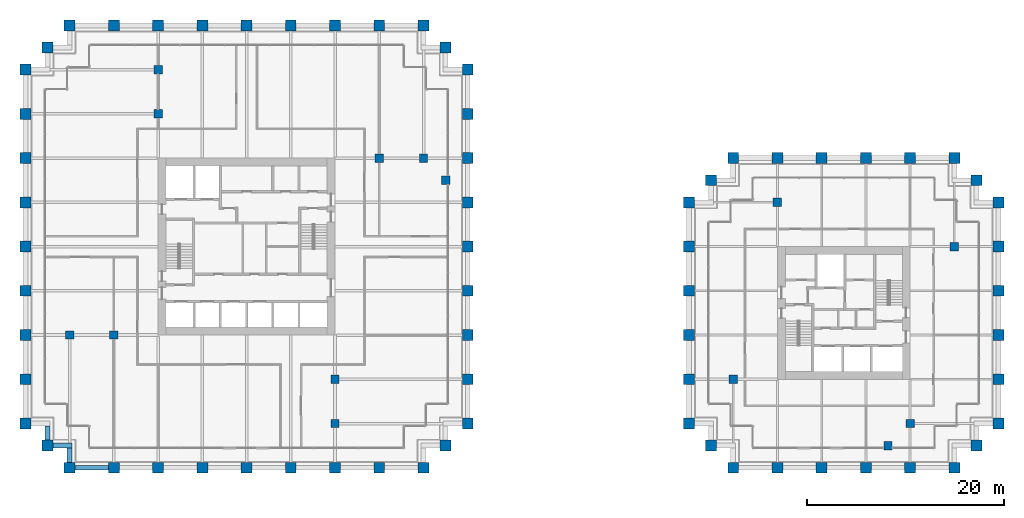
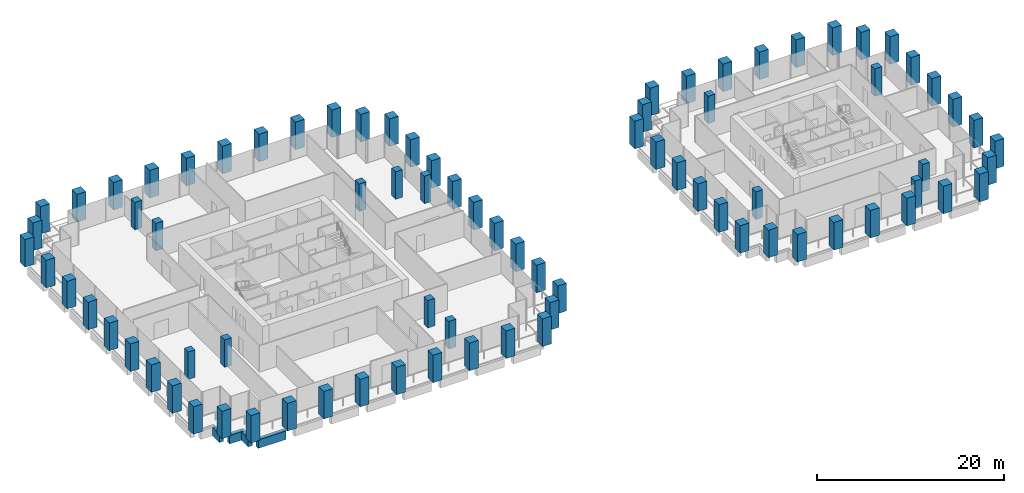
# One storey, part 1 of 54: 82 columns, 4 beams.
"""IFC4 building model written with IfcOpenShell, lengths in metres."""

from ifc_helpers import new_model, si_unit, direction, frame, origin, origin_2d, place, context, subcontext, project, spatial, rectangle, extrude, material, material_profile, profile_set, type_object, element, save


model = new_model("IFC4")

# Units and contexts
model_context = context("Model", 3, precision=1e-05, world=origin(), true_north=direction((0.0, 1.0)))
body_context = subcontext(model_context, "Body", "Model", "MODEL_VIEW")
ifc_project = project(units=[si_unit("LENGTHUNIT", "METRE"), si_unit("AREAUNIT", "SQUARE_METRE"), si_unit("VOLUMEUNIT", "CUBIC_METRE"), si_unit("PLANEANGLEUNIT", "RADIAN"), si_unit("MASSUNIT", "GRAM", prefix="KILO")], contexts=[model_context])

# Site, building, storey
site_placement = place(None, origin())
site = spatial("IfcSite", under=ifc_project, at=site_placement, CompositionType="ELEMENT")
building_placement = place(site_placement, origin())
building = spatial("IfcBuilding", under=site, at=building_placement, Name="Altepetl Exchange Towers", CompositionType="ELEMENT")
storey_placement = place(building_placement, frame((0.0, 0.0, 61.800048828125)))
storey = spatial("IfcBuildingStorey", under=building, at=storey_placement, Name="L14", CompositionType="ELEMENT", Elevation=61.800048828125)

# Columns
ifc_material_1 = material(Name="Concrete C70/85", Category="concrete")
ifc_material_profile_1 = material_profile(ifc_material_1, rectangle(XDim=0.85009765625, YDim=0.85009765625, at=origin_2d()), Name="850 x 850")
ifc_profile_set_1 = profile_set([ifc_material_profile_1], Name="Concrete C70/85")
column_type_1 = type_object("IfcColumnType", Name="Interior column 850", PredefinedType="COLUMN", material=ifc_profile_set_1)
for number, where, name in (
    (1, (31.5, 40.5, 0.0), "col:A:L14:040"),
    (2, (36.0, 40.5, 0.0), "col:A:L14:041"),
    (3, (40.5, 63.0, 0.0), "col:A:L14:042"),
    (4, (40.5, 67.5, 0.0), "col:A:L14:043"),
    (5, (58.5, 31.5, 0.0), "col:A:L14:044"),
    (6, (58.5, 36.0, 0.0), "col:A:L14:045"),
    (7, (63.0, 58.5, 0.0), "col:A:L14:046"),
    (8, (67.5, 58.5, 0.0), "col:A:L14:047"),
    (9, (69.75, 56.25, 0.0), "col:A:L14:048"),
    (10, (99.0, 36.0, 0.0), "col:B:L14:028"),
    (11, (103.5, 54.0, 0.0), "col:B:L14:029"),
    (12, (114.75, 29.25, 0.0), "col:B:L14:030"),
    (13, (117.0, 31.5, 0.0), "col:B:L14:031"),
    (14, (121.5, 49.5, 0.0), "col:B:L14:032"),
):
    element("IfcColumn", number, at=place(storey_placement, frame(where)), inside=storey, type_object=column_type_1, Name=name, PredefinedType="COLUMN", context=body_context, shape_type="SweptSolid", body=[
        extrude(rectangle(XDim=0.85009765625, YDim=0.85009765625, at=origin_2d()), origin(), (0.0, 0.0, 1.0), 3.599853515625),
    ])
ifc_material_2 = material(Name="Concrete C70/85 precast with cantera amarilla facing", Category="concrete")
ifc_material_profile_2 = material_profile(ifc_material_2, rectangle(XDim=1.10009765625, YDim=1.10009765625, at=origin_2d()), Name="1100 x 1100")
ifc_profile_set_2 = profile_set([ifc_material_profile_2], Name="Concrete C70/85 precast with cantera amarilla facing")
column_type_2 = type_object("IfcColumnType", Name="Perimeter column 1100 cantera amarilla", PredefinedType="COLUMN", material=ifc_profile_set_2)
for number, where, name in (
    (15, (58.5, 27.0, 0.0), "col:A:L14:006"),
    (16, (63.0, 27.0, 0.0), "col:A:L14:007"),
    (17, (67.5, 27.0, 0.0), "col:A:L14:008"),
    (18, (69.75, 29.25, 0.0), "col:A:L14:009"),
    (19, (72.0, 31.5, 0.0), "col:A:L14:010"),
    (20, (72.0, 36.0, 0.0), "col:A:L14:011"),
    (21, (72.0, 40.5, 0.0), "col:A:L14:012"),
    (22, (72.0, 45.0, 0.0), "col:A:L14:013"),
    (23, (72.0, 49.5, 0.0), "col:A:L14:014"),
    (24, (72.0, 54.0, 0.0), "col:A:L14:015"),
    (25, (126.0, 49.5, 0.0), "col:B:L14:011"),
    (26, (126.0, 54.0, 0.0), "col:B:L14:012"),
    (27, (123.75, 56.25, 0.0), "col:B:L14:013"),
    (28, (121.5, 58.5, 0.0), "col:B:L14:014"),
    (29, (117.0, 58.5, 0.0), "col:B:L14:015"),
    (30, (112.5, 58.5, 0.0), "col:B:L14:016"),
    (31, (108.0, 58.5, 0.0), "col:B:L14:017"),
):
    element("IfcColumn", number, at=place(storey_placement, frame(where)), inside=storey, type_object=column_type_2, Name=name, PredefinedType="COLUMN", context=body_context, shape_type="SweptSolid", body=[
        extrude(rectangle(XDim=1.10009765625, YDim=1.10009765625, at=origin_2d()), origin(), (0.0, 0.0, 1.0), 3.599853515625),
    ])
ifc_material_3 = material(Name="Concrete C70/85 precast with cantera blanca facing", Category="concrete")
ifc_material_profile_3 = material_profile(ifc_material_3, rectangle(XDim=1.10009765625, YDim=1.10009765625, at=origin_2d()), Name="1100 x 1100")
ifc_profile_set_3 = profile_set([ifc_material_profile_3], Name="Concrete C70/85 precast with cantera blanca facing")
column_type_3 = type_object("IfcColumnType", Name="Perimeter column 1100 cantera blanca", PredefinedType="COLUMN", material=ifc_profile_set_3)
for number, where, name in (
    (32, (31.5, 27.0, 0.0), "col:A:L14:000"),
    (33, (36.0, 27.0, 0.0), "col:A:L14:001"),
    (34, (40.5, 27.0, 0.0), "col:A:L14:002"),
    (35, (45.0, 27.0, 0.0), "col:A:L14:003"),
    (36, (49.5, 27.0, 0.0), "col:A:L14:004"),
    (37, (54.0, 27.0, 0.0), "col:A:L14:005"),
    (38, (27.0, 36.0, 0.0), "col:A:L14:037"),
    (39, (27.0, 31.5, 0.0), "col:A:L14:038"),
    (40, (29.25, 29.25, 0.0), "col:A:L14:039"),
    (41, (117.0, 27.0, 0.0), "col:B:L14:004"),
    (42, (121.5, 27.0, 0.0), "col:B:L14:005"),
    (43, (123.75, 29.25, 0.0), "col:B:L14:006"),
    (44, (126.0, 31.5, 0.0), "col:B:L14:007"),
    (45, (126.0, 36.0, 0.0), "col:B:L14:008"),
    (46, (126.0, 40.5, 0.0), "col:B:L14:009"),
    (47, (126.0, 45.0, 0.0), "col:B:L14:010"),
):
    element("IfcColumn", number, at=place(storey_placement, frame(where)), inside=storey, type_object=column_type_3, Name=name, PredefinedType="COLUMN", context=body_context, shape_type="SweptSolid", body=[
        extrude(rectangle(XDim=1.10009765625, YDim=1.10009765625, at=origin_2d()), origin(), (0.0, 0.0, 1.0), 3.599853515625),
    ])
ifc_material_4 = material(Name="Concrete C70/85 precast with cantera rosa facing", Category="concrete")
ifc_material_profile_4 = material_profile(ifc_material_4, rectangle(XDim=1.10009765625, YDim=1.10009765625, at=origin_2d()), Name="1100 x 1100")
ifc_profile_set_4 = profile_set([ifc_material_profile_4], Name="Concrete C70/85 precast with cantera rosa facing")
column_type_4 = type_object("IfcColumnType", Name="Perimeter column 1100 cantera rosa", PredefinedType="COLUMN", material=ifc_profile_set_4)
for number, where, name in (
    (48, (72.0, 58.5, 0.0), "col:A:L14:016"),
    (49, (72.0, 63.0, 0.0), "col:A:L14:017"),
    (50, (72.0, 67.5, 0.0), "col:A:L14:018"),
    (51, (69.75, 69.75, 0.0), "col:A:L14:019"),
    (52, (67.5, 72.0, 0.0), "col:A:L14:020"),
    (53, (63.0, 72.0, 0.0), "col:A:L14:021"),
    (54, (58.5, 72.0, 0.0), "col:A:L14:022"),
    (55, (54.0, 72.0, 0.0), "col:A:L14:023"),
    (56, (49.5, 72.0, 0.0), "col:A:L14:024"),
    (57, (45.0, 72.0, 0.0), "col:A:L14:025"),
    (58, (103.5, 58.5, 0.0), "col:B:L14:018"),
    (59, (99.0, 58.5, 0.0), "col:B:L14:019"),
    (60, (96.75, 56.25, 0.0), "col:B:L14:020"),
    (61, (94.5, 54.0, 0.0), "col:B:L14:021"),
    (62, (94.5, 49.5, 0.0), "col:B:L14:022"),
    (63, (94.5, 45.0, 0.0), "col:B:L14:023"),
    (64, (94.5, 40.5, 0.0), "col:B:L14:024"),
    (65, (94.5, 36.0, 0.0), "col:B:L14:025"),
):
    element("IfcColumn", number, at=place(storey_placement, frame(where)), inside=storey, type_object=column_type_4, Name=name, PredefinedType="COLUMN", context=body_context, shape_type="SweptSolid", body=[
        extrude(rectangle(XDim=1.10009765625, YDim=1.10009765625, at=origin_2d()), origin(), (0.0, 0.0, 1.0), 3.599853515625),
    ])
ifc_material_5 = material(Name="Concrete C70/85 precast with tezontle facing", Category="concrete")
ifc_material_profile_5 = material_profile(ifc_material_5, rectangle(XDim=1.10009765625, YDim=1.10009765625, at=origin_2d()), Name="1100 x 1100")
ifc_profile_set_5 = profile_set([ifc_material_profile_5], Name="Concrete C70/85 precast with tezontle facing")
column_type_5 = type_object("IfcColumnType", Name="Perimeter column 1100 tezontle", PredefinedType="COLUMN", material=ifc_profile_set_5)
for number, where, name in (
    (66, (40.5, 72.0, 0.0), "col:A:L14:026"),
    (67, (36.0, 72.0, 0.0), "col:A:L14:027"),
    (68, (31.5, 72.0, 0.0), "col:A:L14:028"),
    (69, (29.25, 69.75, 0.0), "col:A:L14:029"),
    (70, (27.0, 67.5, 0.0), "col:A:L14:030"),
    (71, (27.0, 63.0, 0.0), "col:A:L14:031"),
    (72, (27.0, 58.5, 0.0), "col:A:L14:032"),
    (73, (27.0, 54.0, 0.0), "col:A:L14:033"),
    (74, (27.0, 49.5, 0.0), "col:A:L14:034"),
    (75, (27.0, 45.0, 0.0), "col:A:L14:035"),
    (76, (27.0, 40.5, 0.0), "col:A:L14:036"),
    (77, (99.0, 27.0, 0.0), "col:B:L14:000"),
    (78, (103.5, 27.0, 0.0), "col:B:L14:001"),
    (79, (108.0, 27.0, 0.0), "col:B:L14:002"),
    (80, (112.5, 27.0, 0.0), "col:B:L14:003"),
    (81, (94.5, 31.5, 0.0), "col:B:L14:026"),
    (82, (96.75, 29.25, 0.0), "col:B:L14:027"),
):
    element("IfcColumn", number, at=place(storey_placement, frame(where)), inside=storey, type_object=column_type_5, Name=name, PredefinedType="COLUMN", context=body_context, shape_type="SweptSolid", body=[
        extrude(rectangle(XDim=1.10009765625, YDim=1.10009765625, at=origin_2d()), origin(), (0.0, 0.0, 1.0), 3.599853515625),
    ])

# Beams
ifc_material_6 = material(Name="Concrete C50/60 precast with cantera blanca facing", Category="concrete")
ifc_material_profile_6 = material_profile(ifc_material_6, rectangle(XDim=0.5, YDim=1.10009765625, at=origin_2d()), Name="500 x 1100")
ifc_profile_set_6 = profile_set([ifc_material_profile_6], Name="Concrete C50/60 precast with cantera blanca facing")
beam_type = type_object("IfcBeamType", Name="Spandrel beam 500x1100 cantera blanca", PredefinedType="SPANDREL", material=ifc_profile_set_6)
beam_1_placement = place(storey_placement, frame((32.050048828125, 27.0, -0.699951171875), z_axis=(1.0, 0.0, 0.0), x_axis=(0.0, 1.0, 0.0)))
element("IfcBeam", 83, at=beam_1_placement, inside=storey, type_object=beam_type, Name="sp:A:L14:000", PredefinedType="SPANDREL", context=body_context, shape_type="SweptSolid", body=[
    extrude(rectangle(XDim=0.5, YDim=1.10009765625, at=origin_2d()), origin(), (0.0, 0.0, 1.0), 3.39990234375),
])
beam_2_placement = place(storey_placement, frame((29.25, 31.25, -0.699951171875), z_axis=(0.0, -1.0, 0.0), x_axis=(1.0, 0.0, 0.0)))
element("IfcBeam", 84, at=beam_2_placement, inside=storey, type_object=beam_type, Name="sp:A:L14:045", PredefinedType="SPANDREL", context=body_context, shape_type="SweptSolid", body=[
    extrude(rectangle(XDim=0.5, YDim=1.10009765625, at=origin_2d()), origin(), (0.0, 0.0, 1.0), 1.449951171875),
])
beam_3_placement = place(storey_placement, frame((29.800048828125, 29.25, -0.699951171875), z_axis=(1.0, 0.0, 0.0), x_axis=(0.0, 1.0, 0.0)))
element("IfcBeam", 85, at=beam_3_placement, inside=storey, type_object=beam_type, Name="sp:A:L14:046", PredefinedType="SPANDREL", context=body_context, shape_type="SweptSolid", body=[
    extrude(rectangle(XDim=0.5, YDim=1.10009765625, at=origin_2d()), origin(), (0.0, 0.0, 1.0), 1.949951171875),
])
beam_4_placement = place(storey_placement, frame((31.5, 29.0, -0.699951171875), z_axis=(0.0, -1.0, 0.0), x_axis=(1.0, 0.0, 0.0)))
element("IfcBeam", 86, at=beam_4_placement, inside=storey, type_object=beam_type, Name="sp:A:L14:047", PredefinedType="SPANDREL", context=body_context, shape_type="SweptSolid", body=[
    extrude(rectangle(XDim=0.5, YDim=1.10009765625, at=origin_2d()), origin(), (0.0, 0.0, 1.0), 1.449951171875),
])

save(model, "model.ifc")
